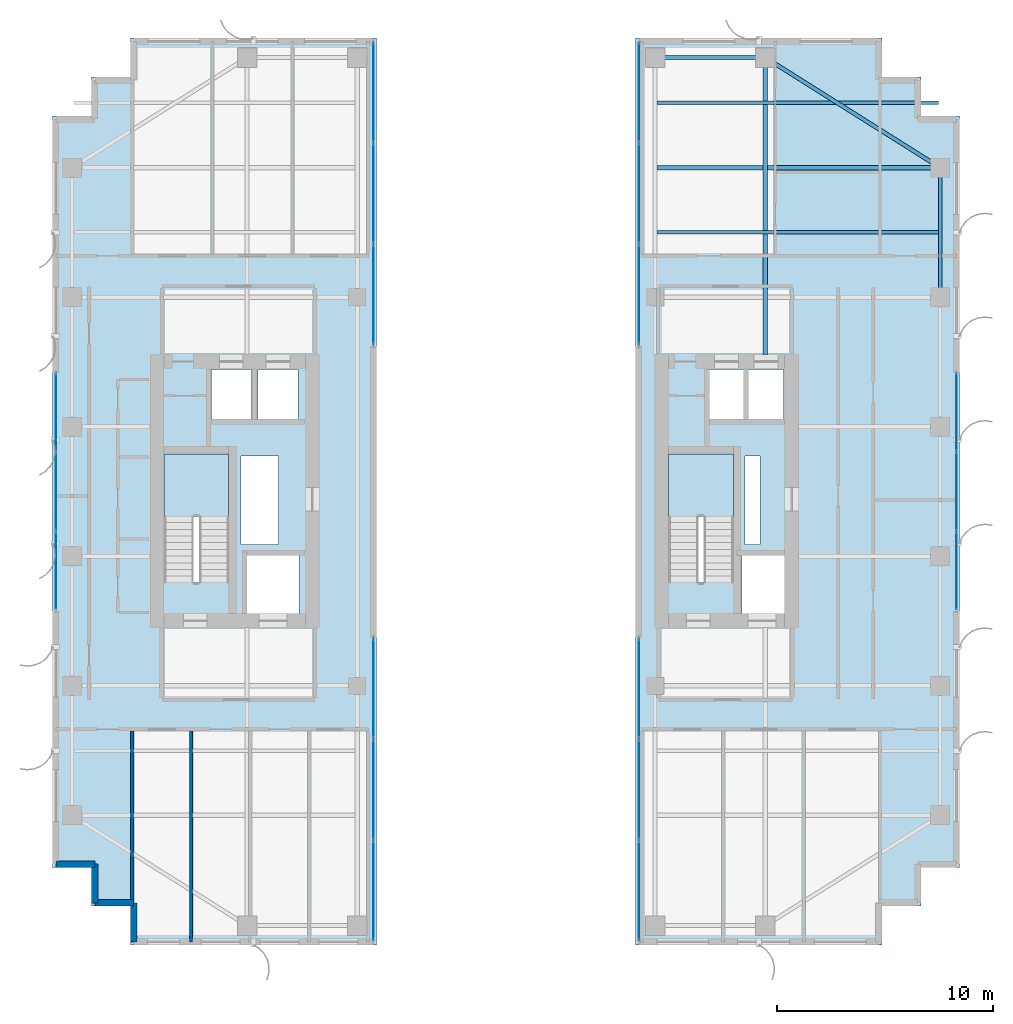
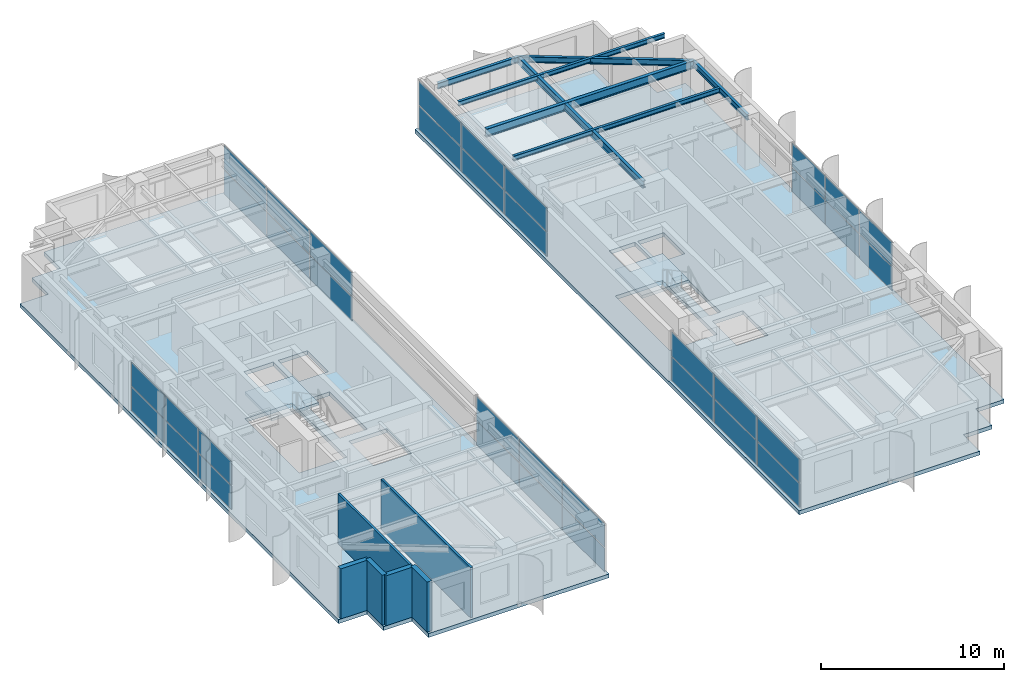
# One storey, part 15 of 22: 36 plates, 7 beams, 6 walls, 4 slabs, 8 elements without a shape of their own.
"""IFC4 building model written with IfcOpenShell, lengths in metres."""

import ifcopenshell
import ifcopenshell.guid

model = None  # the IFC model being written
_history = None  # IfcOwnerHistory: only IFC2X3 demands one
_inside = {}  # id of a spatial element -> (the spatial element, [elements in it])
_under = {}  # id of a project, library or spatial element -> (it, [spatial elements below it])
_declared = {}  # id of a project -> (the project, [libraries it declares])
_typed = {}  # id of a type object -> (the type object, [elements of that type])
_made_of = {}  # id of a material, layer set ... -> (it, [elements and type objects made of it])


def new_model(schema):
    """Start an empty IFC model of exactly this schema.

    Asked for "IFC4X3", IfcOpenShell would pick the latest addendum, in which some entities
    have other attributes; the version numbers below select the first issue.
    IFC2X3 requires an IfcOwnerHistory on every rooted entity: one is made here for all.
    """
    global model, _history
    if schema == "IFC4X3":
        model = ifcopenshell.file(schema_version=(4, 3, 0, 0))
    else:
        model = ifcopenshell.file(schema=schema)
    _inside.clear()
    _under.clear()
    _declared.clear()
    _typed.clear()
    _made_of.clear()
    _history = None
    if model.schema == "IFC2X3":
        org = make("IfcOrganization", Name="unknown")
        user = make(
            "IfcPersonAndOrganization",
            ThePerson=make("IfcPerson", FamilyName="unknown"),
            TheOrganization=org,
        )
        app = make(
            "IfcApplication",
            ApplicationDeveloper=org,
            Version="unknown",
            ApplicationFullName="unknown",
            ApplicationIdentifier="unknown",
        )
        _history = make(
            "IfcOwnerHistory",
            OwningUser=user,
            OwningApplication=app,
            ChangeAction="ADDED",
            CreationDate=0,
        )
    return model


def make(cls, **values):
    """One entity of the class cls with the attributes given. An attribute that is None is left unset."""
    return model.create_entity(
        cls, **{name: value for name, value in values.items() if value is not None}
    )


def rooted(cls, **values):
    """An entity with a GlobalId (a new one), such as an element, a storey or a relation."""
    return make(cls, GlobalId=ifcopenshell.guid.new(), OwnerHistory=_history, **values)


def si_unit(unit_type, name, prefix=None):
    """IfcSIUnit, for example si_unit("LENGTHUNIT", "METRE", prefix="MILLI")."""
    return make("IfcSIUnit", UnitType=unit_type, Prefix=prefix, Name=name)


def assignment(units):
    """IfcUnitAssignment: the units of a project."""
    return None if units is None else make("IfcUnitAssignment", Units=units)


def point(xyz):
    """IfcCartesianPoint."""
    return None if xyz is None else make("IfcCartesianPoint", Coordinates=xyz)


def direction(xyz):
    """IfcDirection."""
    return None if xyz is None else make("IfcDirection", DirectionRatios=xyz)


def frame(location, z_axis=None, x_axis=None):
    """IfcAxis2Placement3D, a coordinate frame: its origin and axes. An axis left out is left unset."""
    return make(
        "IfcAxis2Placement3D",
        Location=point(location),
        Axis=direction(z_axis),
        RefDirection=direction(x_axis),
    )


def frame_2d(location, x_axis=None):
    """IfcAxis2Placement2D, a coordinate frame in the plane: its origin and x axis."""
    return make(
        "IfcAxis2Placement2D", Location=point(location), RefDirection=direction(x_axis)
    )


def origin():
    """The frame at (0, 0, 0) with its axes left unset."""
    return frame((0.0, 0.0, 0.0))


def origin_2d():
    """The frame at (0, 0) in the plane with its x axis left unset."""
    return frame_2d((0.0, 0.0))


def place(relative_to, where):
    """IfcLocalPlacement: puts the frame where relative to a parent placement (None: the world)."""
    return make(
        "IfcLocalPlacement", PlacementRelTo=relative_to, RelativePlacement=where
    )


def context(
    kind, dimensions, precision=None, world=None, true_north=None, identifier=None
):
    """IfcGeometricRepresentationContext, for example the 3D "Model" context."""
    return make(
        "IfcGeometricRepresentationContext",
        ContextIdentifier=identifier,
        ContextType=kind,
        CoordinateSpaceDimension=dimensions,
        Precision=precision,
        WorldCoordinateSystem=world,
        TrueNorth=true_north,
    )


def subcontext(parent, identifier, kind, view, scale=None):
    """IfcGeometricRepresentationSubContext, for example "Body" below "Model"."""
    return make(
        "IfcGeometricRepresentationSubContext",
        ContextIdentifier=identifier,
        ContextType=kind,
        ParentContext=parent,
        TargetScale=scale,
        TargetView=view,
    )


def project(units=None, contexts=None):
    """IfcProject with its units and contexts."""
    return rooted(
        "IfcProject",
        Name="project",
        RepresentationContexts=contexts,
        UnitsInContext=assignment(units),
    )


def spatial(cls, under=None, at=None, **own):
    """A site, building, storey or space (cls), placed at a placement, below another one or the project."""
    s = rooted(cls, ObjectPlacement=at, **own)
    if under is not None:
        _under.setdefault(under.id(), (under, []))[1].append(s)
    return s


def polyline(points):
    """IfcPolyline through the points."""
    return make("IfcPolyline", Points=[point(p) for p in points])


def profile(cls, at=None, kind="AREA", **sizes):
    """A parametric profile (cls). Its sizes go by their IFC names, for example OverallWidth=200.0."""
    return make(cls, ProfileType=kind, Position=at, **sizes)


def rectangle(**sizes):
    """IfcRectangleProfileDef."""
    return profile("IfcRectangleProfileDef", **sizes)


def i_section(**sizes):
    """IfcIShapeProfileDef."""
    return profile("IfcIShapeProfileDef", **sizes)


def outline(outer, holes=None, kind="AREA"):
    """IfcArbitraryClosedProfileDef: a profile drawn as a closed curve; with holes, ...WithVoids."""
    if holes is None:
        return make("IfcArbitraryClosedProfileDef", ProfileType=kind, OuterCurve=outer)
    return make(
        "IfcArbitraryProfileDefWithVoids",
        ProfileType=kind,
        OuterCurve=outer,
        InnerCurves=holes,
    )


def extrude(swept, where, along, depth):
    """IfcExtrudedAreaSolid: the profile swept, set in the frame where, extruded along a direction by depth."""
    return make(
        "IfcExtrudedAreaSolid",
        SweptArea=swept,
        Position=where,
        ExtrudedDirection=direction(along),
        Depth=depth,
    )


def shape(context_of_items, identifier, shape_type, items):
    """IfcShapeRepresentation: the items that make up one representation, for example the "Body"."""
    return make(
        "IfcShapeRepresentation",
        ContextOfItems=context_of_items,
        RepresentationIdentifier=identifier,
        RepresentationType=shape_type,
        Items=items,
    )


def source(mapping_origin, context_of_items, identifier, shape_type, items):
    """IfcRepresentationMap: a shape defined once, which mapped items show again and again."""
    return make(
        "IfcRepresentationMap",
        MappingOrigin=mapping_origin,
        MappedRepresentation=shape(context_of_items, identifier, shape_type, items),
    )


def transform(
    local_origin,
    x_axis=None,
    y_axis=None,
    z_axis=None,
    scale=None,
    scale2=None,
    scale3=None,
    uniform=True,
):
    """IfcCartesianTransformationOperator3D, or its non-uniform kind. x_axis, y_axis, z_axis: its Axis1, 2, 3."""
    if uniform:
        return make(
            "IfcCartesianTransformationOperator3D",
            Axis1=direction(x_axis),
            Axis2=direction(y_axis),
            LocalOrigin=point(local_origin),
            Scale=scale,
            Axis3=direction(z_axis),
        )
    return make(
        "IfcCartesianTransformationOperator3DnonUniform",
        Axis1=direction(x_axis),
        Axis2=direction(y_axis),
        LocalOrigin=point(local_origin),
        Scale=scale,
        Axis3=direction(z_axis),
        Scale2=scale2,
        Scale3=scale3,
    )


def mapped(mapping_source, mapping_target):
    """IfcMappedItem: shows the shape of a source again, moved by a transform."""
    return make(
        "IfcMappedItem", MappingSource=mapping_source, MappingTarget=mapping_target
    )


def material(Name=None, Category=None):
    """IfcMaterial."""
    return make("IfcMaterial", Name=Name, Category=Category)


def layer(
    of_material, thickness, ventilated=None, Name=None, Category=None, Priority=None
):
    """IfcMaterialLayer: one layer of a wall or slab, of a material (None: an air gap)."""
    return make(
        "IfcMaterialLayer",
        Material=of_material,
        LayerThickness=thickness,
        IsVentilated=ventilated,
        Name=Name,
        Category=Category,
        Priority=Priority,
    )


def layer_set(layers, Name=None):
    """IfcMaterialLayerSet."""
    return make("IfcMaterialLayerSet", MaterialLayers=layers, LayerSetName=Name)


def material_profile(
    of_material, cross_section, Name=None, Category=None, Priority=None
):
    """IfcMaterialProfile: a cross section and its material."""
    return make(
        "IfcMaterialProfile",
        Name=Name,
        Material=of_material,
        Profile=cross_section,
        Priority=Priority,
        Category=Category,
    )


def profile_set(profiles, Name=None, composite=None):
    """IfcMaterialProfileSet."""
    return make(
        "IfcMaterialProfileSet",
        Name=Name,
        MaterialProfiles=profiles,
        CompositeProfile=composite,
    )


def made_of(thing, what):
    """Note that an element or type object is made of a material, layer set ...; save() writes the relation."""
    if what is not None:
        _made_of.setdefault(what.id(), (what, []))[1].append(thing)
    return thing


def type_object(cls, material=None, **own):
    """A type object (cls), such as IfcWallType, which elements share."""
    return made_of(rooted(cls, **own), material)


def element(
    cls,
    number,
    at=None,
    inside=None,
    cuts=None,
    type_object=None,
    material=None,
    context=None,
    identifier="Body",
    shape_type=None,
    held_by="IfcProductDefinitionShape",
    body=None,
    shapes=None,
    **own,
):
    """One element of the class cls, such as IfcWall. Its Tag is "e" and its number.

    at: its placement. inside: the storey or other place that contains it. cuts: it is an
    opening in that element (IfcRelVoidsElement). A single representation is given by context,
    identifier, shape_type and body (its items); several are given by shapes. held_by: the class
    of the entity that holds the representations. save() writes the other relations.
    """
    e = rooted(cls, Tag="e%d" % number, ObjectPlacement=at, **own)
    if body is not None:
        shapes = [shape(context, identifier, shape_type, body)]
    if shapes is not None:
        e.Representation = make(held_by, Representations=shapes)
    if inside is not None:
        _inside.setdefault(inside.id(), (inside, []))[1].append(e)
    if cuts is not None:
        rooted(
            "IfcRelVoidsElement", RelatingBuildingElement=cuts, RelatedOpeningElement=e
        )
    if type_object is not None:
        _typed.setdefault(type_object.id(), (type_object, []))[1].append(e)
    return made_of(e, material)


def aggregate(whole, parts):
    """IfcRelAggregates: a whole, such as a stair, and the parts it consists of."""
    return rooted("IfcRelAggregates", RelatingObject=whole, RelatedObjects=parts)


def save(model, path):
    """Write the relations noted so far, then the file.

    IfcRelAggregates (storeys below a building ...), IfcRelContainedInSpatialStructure (elements
    in a storey), IfcRelDefinesByType, IfcRelAssociatesMaterial and IfcRelDeclares: one each for
    every whole, place, type object, material and project.
    """
    for whole, parts in _under.values():
        aggregate(whole, parts)
    for where, things in _inside.values():
        rooted(
            "IfcRelContainedInSpatialStructure",
            RelatedElements=things,
            RelatingStructure=where,
        )
    for kind, things in _typed.values():
        rooted("IfcRelDefinesByType", RelatedObjects=things, RelatingType=kind)
    for what, things in _made_of.values():
        rooted("IfcRelAssociatesMaterial", RelatedObjects=things, RelatingMaterial=what)
    for by, libraries in _declared.values():
        rooted("IfcRelDeclares", RelatingContext=by, RelatedDefinitions=libraries)
    model.write(path)


model = new_model("IFC4")

# Units and contexts
model_context = context("Model", 3, precision=1e-05, world=origin(), true_north=direction((0.0, 1.0)))
body_context = subcontext(model_context, "Body", "Model", "MODEL_VIEW")
ifc_project = project(units=[si_unit("LENGTHUNIT", "METRE"), si_unit("AREAUNIT", "SQUARE_METRE"), si_unit("VOLUMEUNIT", "CUBIC_METRE"), si_unit("PLANEANGLEUNIT", "RADIAN"), si_unit("MASSUNIT", "GRAM", prefix="KILO")], contexts=[model_context])

# Site, building, storey
site_placement = place(None, origin())
site = spatial("IfcSite", under=ifc_project, at=site_placement, CompositionType="ELEMENT")
building_placement = place(site_placement, origin())
building = spatial("IfcBuilding", under=site, at=building_placement, Name="Khoralis Quay Care Tower", CompositionType="ELEMENT")
storey_placement = place(building_placement, frame((0.0, 0.0, 195.300048828125)))
storey = spatial("IfcBuildingStorey", under=building, at=storey_placement, Name="L51", CompositionType="ELEMENT", Elevation=195.300048828125)

# Beams
ifc_material_1 = material(Name="Steel S355", Category="steel")
ifc_material_profile_1 = material_profile(ifc_material_1, i_section(OverallWidth=0.179931640625, OverallDepth=0.39990234375, WebThickness=0.008544921875, FlangeThickness=0.013427734375, FilletRadius=0.02099609375, at=origin_2d()), Name="Steel S355")
ifc_profile_set_1 = profile_set([ifc_material_profile_1], Name="Steel S355")
beam_type_1 = type_object("IfcBeamType", Name="BM-IPE400", PredefinedType="SPANDREL", material=ifc_profile_set_1)
shared_shape_1 = source(origin(), body_context, "Body", "SweptSolid", [
    extrude(i_section(OverallWidth=0.179931640625, OverallDepth=0.39990234375, WebThickness=0.008544921875, FlangeThickness=0.013427734375, FilletRadius=0.02099609375, at=origin_2d()), origin(), (0.0, 0.0, 1.0), 6.0),
])
beam_1_placement = place(storey_placement, frame((44.10009765625, 30.0, 3.139892578125), z_axis=(0.0, 1.0, 0.0), x_axis=(-1.0, 0.0, 0.0)))
element("IfcBeam", 1, at=beam_1_placement, inside=storey, type_object=beam_type_1, Name="BM-TSP-L51-14", PredefinedType="SPANDREL", context=body_context, shape_type="MappedRepresentation", body=[
    mapped(shared_shape_1, transform((0.0, 0.0, 0.0), scale=1.0)),
])
shared_shape_2 = source(origin(), body_context, "Body", "SweptSolid", [
    extrude(i_section(OverallWidth=0.179931640625, OverallDepth=0.39990234375, WebThickness=0.008544921875, FlangeThickness=0.013427734375, FilletRadius=0.02099609375, at=origin_2d()), origin(), (0.0, 0.0, 1.0), 5.10009765625),
])
beam_2_placement = place(storey_placement, frame((30.89990234375, 41.10009765625, 3.139892578125), z_axis=(1.0, 0.0, 0.0), x_axis=(0.0, 1.0, 0.0)))
element("IfcBeam", 2, at=beam_2_placement, inside=storey, type_object=beam_type_1, Name="BM-TSP-L51-04", PredefinedType="SPANDREL", context=body_context, shape_type="MappedRepresentation", body=[
    mapped(shared_shape_2, transform((0.0, 0.0, 0.0), scale=1.0)),
])
shared_shape_3 = source(origin(), body_context, "Body", "SweptSolid", [
    extrude(i_section(OverallWidth=0.179931640625, OverallDepth=0.39990234375, WebThickness=0.008544921875, FlangeThickness=0.013427734375, FilletRadius=0.02099609375, at=origin_2d()), origin(), (0.0, 0.0, 1.0), 9.572021484375),
])
beam_3_placement = place(storey_placement, frame((36.0, 41.10009765625, 3.139892578125), z_axis=(0.846231136359, -0.532815975602, 0.0), x_axis=(0.532815975602, 0.846231136359, 0.0)))
element("IfcBeam", 3, at=beam_3_placement, inside=storey, type_object=beam_type_1, Name="BM-TCR-L51-18", PredefinedType="SPANDREL", context=body_context, shape_type="MappedRepresentation", body=[
    mapped(shared_shape_3, transform((0.0, 0.0, 0.0), scale=1.0)),
])
ifc_material_profile_2 = material_profile(ifc_material_1, i_section(OverallWidth=0.208984375, OverallDepth=0.532958984375, WebThickness=0.01025390625, FlangeThickness=0.015625, FilletRadius=0.01611328125, at=origin_2d()), Name="Steel S355")
ifc_profile_set_2 = profile_set([ifc_material_profile_2], Name="Steel S355")
beam_type_2 = type_object("IfcBeamType", Name="BM-W530X92", PredefinedType="BEAM", material=ifc_profile_set_2)
shared_shape_4 = source(origin(), body_context, "Body", "SweptSolid", [
    extrude(i_section(OverallWidth=0.208984375, OverallDepth=0.532958984375, WebThickness=0.01025390625, FlangeThickness=0.015625, FilletRadius=0.01611328125, at=origin_2d()), origin(), (0.0, 0.0, 1.0), 13.1162109375),
])
beam_4_placement = place(storey_placement, frame((30.98388671875, 36.0, 3.073486328125), z_axis=(1.0, 0.0, 0.0), x_axis=(0.0, 1.0, 0.0)))
element("IfcBeam", 4, at=beam_4_placement, inside=storey, type_object=beam_type_2, Name="BM-TGXE-L51-360", PredefinedType="BEAM", context=body_context, shape_type="MappedRepresentation", body=[
    mapped(shared_shape_4, transform((0.0, 0.0, 0.0), scale=1.0)),
])
ifc_material_profile_3 = material_profile(ifc_material_1, i_section(OverallWidth=0.19189453125, OverallDepth=0.462890625, WebThickness=0.010498046875, FlangeThickness=0.017578125, FilletRadius=0.014892578125, at=origin_2d()), Name="Steel S355")
ifc_profile_set_3 = profile_set([ifc_material_profile_3], Name="Steel S355")
beam_type_3 = type_object("IfcBeamType", Name="BM-W460X89", PredefinedType="BEAM", material=ifc_profile_set_3)
shared_shape_5 = source(origin(), body_context, "Body", "SweptSolid", [
    extrude(i_section(OverallWidth=0.19189453125, OverallDepth=0.462890625, WebThickness=0.010498046875, FlangeThickness=0.017578125, FilletRadius=0.014892578125, at=origin_2d()), origin(), (0.0, 0.0, 1.0), 13.752197265625),
])
beam_5_placement = place(storey_placement, frame((36.0, 27.347900390625, 3.1083984375), z_axis=(0.0, 1.0, 0.0), x_axis=(-1.0, 0.0, 0.0)))
element("IfcBeam", 5, at=beam_5_placement, inside=storey, type_object=beam_type_3, Name="BM-TGYN-L51-360", PredefinedType="BEAM", context=body_context, shape_type="MappedRepresentation", body=[
    mapped(shared_shape_5, transform((0.0, 0.0, 0.0), scale=1.0)),
])
ifc_material_profile_4 = material_profile(ifc_material_1, i_section(OverallWidth=0.1650390625, OverallDepth=0.31005859375, WebThickness=0.005859375, FlangeThickness=0.009765625, FilletRadius=0.011962890625, at=origin_2d()), Name="Steel S355")
ifc_profile_set_4 = profile_set([ifc_material_profile_4], Name="Steel S355")
beam_type_4 = type_object("IfcBeamType", Name="BM-W310X39", PredefinedType="JOIST", material=ifc_profile_set_4)
shared_shape_6 = source(origin(), body_context, "Body", "SweptSolid", [
    extrude(i_section(OverallWidth=0.1650390625, OverallDepth=0.31005859375, WebThickness=0.005859375, FlangeThickness=0.009765625, FilletRadius=0.011962890625, at=origin_2d()), origin(), (0.0, 0.0, 1.0), 13.0400390625),
])
for number, where, z_axis, x_axis, name in (
    (6, (30.98388671875, 33.0, 3.18505859375), (1.0, 0.0, 0.0), (0.0, 1.0, 0.0), "BM-TJS-L51-22"),
    (7, (30.98388671875, 39.0, 3.18505859375), (1.0, 0.0, 0.0), (0.0, 1.0, 0.0), "BM-TJS-L51-24"),
):
    element("IfcBeam", number, at=place(storey_placement, frame(where, z_axis=z_axis, x_axis=x_axis)), inside=storey, type_object=beam_type_4, Name=name, PredefinedType="JOIST", context=body_context, shape_type="MappedRepresentation", body=[
        mapped(shared_shape_6, transform((0.0, 0.0, 0.0), scale=1.0)),
    ])

# Stair, slab
ifc_material_2 = material(Name="Precast concrete C45/55", Category="concrete")
stair_type = type_object("IfcStairType", Name="ST-TWR-DOGLEG-1400", PredefinedType="HALF_TURN_STAIR", material=ifc_material_2)
stair_1_placement = place(storey_placement, origin())
stair_1 = element("IfcStair", 8, at=stair_1_placement, inside=storey, type_object=stair_type, Name="L51 West Core Exit Stair ST-T1", PredefinedType="HALF_TURN_STAIR")
ifc_layer_1 = layer(ifc_material_2, 0.199951171875)
ifc_layer_set_1 = layer_set([ifc_layer_1], Name="Precast concrete C45/55")
slab_type_1 = type_object("IfcSlabType", Name="SLB-LANDING-200", PredefinedType="LANDING", material=ifc_layer_set_1)
slab_1_placement = place(storey_placement, frame((0.0, 0.0, 1.599853515625)))
slab_1 = element("IfcSlab", 9, at=slab_1_placement, type_object=slab_type_1, Name="ST-T1 landing 1", PredefinedType="LANDING", context=body_context, shape_type="SweptSolid", body=[
    extrude(outline(polyline([(11.14990234375, 19.840087890625), (11.14990234375, 22.75), (8.14990234375, 22.75), (8.14990234375, 19.840087890625), (11.14990234375, 19.840087890625)])), origin(), (0.0, 0.0, 1.0), 0.2001953125),
])
aggregate(stair_1, [slab_1])

stair_2_placement = place(storey_placement, origin())
stair_2 = element("IfcStair", 10, at=stair_2_placement, inside=storey, type_object=stair_type, Name="L51 East Core Exit Stair ST-T2", PredefinedType="HALF_TURN_STAIR")
slab_2_placement = place(storey_placement, frame((0.0, 0.0, 1.599853515625)))
slab_2 = element("IfcSlab", 11, at=slab_2_placement, type_object=slab_type_1, Name="ST-T2 landing 1", PredefinedType="LANDING", context=body_context, shape_type="SweptSolid", body=[
    extrude(outline(polyline([(34.52001953125, 19.840087890625), (34.52001953125, 22.75), (31.52001953125, 22.75), (31.52001953125, 19.840087890625), (34.52001953125, 19.840087890625)])), origin(), (0.0, 0.0, 1.0), 0.2001953125),
])
aggregate(stair_2, [slab_2])

# Slabs
ifc_material_3 = material(Name="Concrete C40/50", Category="concrete")
ifc_layer_2 = layer(ifc_material_3, 0.260009765625)
ifc_layer_set_2 = layer_set([ifc_layer_2], Name="Concrete C40/50")
slab_type_2 = type_object("IfcSlabType", Name="SLB-TWR-260", PredefinedType="FLOOR", material=ifc_layer_set_2)
slab_3_placement = place(storey_placement, frame((0.0, 0.0, -0.260009765625)))
element("IfcSlab", 12, at=slab_3_placement, inside=storey, type_object=slab_type_2, Name="Tower Wing 1 Slab L51", PredefinedType="FLOOR", context=body_context, shape_type="SweptSolid", body=[
    extrude(outline(polyline([(6.60009765625, 0.0), (18.0, 0.0), (18.0, 42.0), (6.60009765625, 42.0), (6.60009765625, 40.199951171875), (4.800048828125, 40.199951171875), (4.800048828125, 38.39990234375), (3.0, 38.39990234375), (3.0, 3.60009765625), (4.800048828125, 3.60009765625), (4.800048828125, 1.800048828125), (6.60009765625, 1.800048828125), (6.60009765625, 0.0)]), holes=[polyline([(11.14990234375, 16.800048828125), (11.14990234375, 22.75), (8.14990234375, 22.75), (8.14990234375, 16.800048828125), (11.14990234375, 16.800048828125)]), polyline([(12.0, 15.35009765625), (14.39990234375, 15.35009765625), (14.39990234375, 18.050048828125), (12.0, 18.050048828125), (12.0, 15.35009765625)]), polyline([(10.35009765625, 24.35009765625), (12.199951171875, 24.35009765625), (12.199951171875, 26.64990234375), (10.35009765625, 26.64990234375), (10.35009765625, 24.35009765625)]), polyline([(12.5, 24.35009765625), (14.35009765625, 24.35009765625), (14.35009765625, 26.64990234375), (12.5, 26.64990234375), (12.5, 24.35009765625)]), polyline([(11.719970703125, 18.550048828125), (13.449951171875, 18.550048828125), (13.449951171875, 22.64990234375), (11.719970703125, 22.64990234375), (11.719970703125, 18.550048828125)])]), origin(), (0.0, 0.0, 1.0), 0.260009765625),
])
slab_4_placement = place(storey_placement, frame((0.0, 0.0, -0.260009765625)))
element("IfcSlab", 13, at=slab_4_placement, inside=storey, type_object=slab_type_2, Name="Tower Wing 2 Slab L51", PredefinedType="FLOOR", context=body_context, shape_type="SweptSolid", body=[
    extrude(outline(polyline([(30.0, 0.0), (41.39990234375, 0.0), (41.39990234375, 1.800048828125), (43.199951171875, 1.800048828125), (43.199951171875, 3.60009765625), (45.0, 3.60009765625), (45.0, 38.39990234375), (43.199951171875, 38.39990234375), (43.199951171875, 40.199951171875), (41.39990234375, 40.199951171875), (41.39990234375, 42.0), (30.0, 42.0), (30.0, 0.0)]), holes=[polyline([(34.52001953125, 16.800048828125), (34.52001953125, 22.75), (31.52001953125, 22.75), (31.52001953125, 16.800048828125), (34.52001953125, 16.800048828125)]), polyline([(34.919921875, 15.35009765625), (36.8798828125, 15.35009765625), (36.8798828125, 18.050048828125), (34.919921875, 18.050048828125), (34.919921875, 15.35009765625)]), polyline([(33.3798828125, 24.35009765625), (35.030029296875, 24.35009765625), (35.030029296875, 26.64990234375), (33.3798828125, 26.64990234375), (33.3798828125, 24.35009765625)]), polyline([(35.199951171875, 24.35009765625), (36.85009765625, 24.35009765625), (36.85009765625, 26.64990234375), (35.199951171875, 26.64990234375), (35.199951171875, 24.35009765625)]), polyline([(35.050048828125, 18.550048828125), (35.75, 18.550048828125), (35.75, 22.64990234375), (35.050048828125, 22.64990234375), (35.050048828125, 18.550048828125)])]), origin(), (0.0, 0.0, 1.0), 0.260009765625),
])

# Curtain wall, plates
ifc_material_4 = material(Name="Pale anodised aluminium", Category="aluminium")
ifc_layer_3 = layer(ifc_material_4, 0.159912109375)
ifc_layer_set_3 = layer_set([ifc_layer_3], Name="Pale anodised aluminium")
curtain_wall_type_1 = type_object("IfcCurtainWallType", Name="CW-SYS-Z3", PredefinedType="NOTDEFINED", material=ifc_layer_set_3)
curtain_wall_1_placement = place(storey_placement, origin())
curtain_wall_1 = element("IfcCurtainWall", 14, at=curtain_wall_1_placement, inside=storey, type_object=curtain_wall_type_1, Name="L51 Unitised Curtain Wall CW-L51-P1-E7", PredefinedType="NOTDEFINED")
ifc_material_5 = material(Name="Low-E solar-control double glazing", Category="glass")
ifc_layer_4 = layer(ifc_material_5, 0.031982421875)
ifc_layer_set_4 = layer_set([ifc_layer_4], Name="Low-E solar-control double glazing")
plate_type = type_object("IfcPlateType", Name="PNL-VIS-32", PredefinedType="CURTAIN_PANEL", material=ifc_layer_set_4)
shared_shape_7 = source(origin(), body_context, "Body", "SweptSolid", [
    extrude(rectangle(XDim=3.590087890625, YDim=0.028076171875, at=origin_2d()), origin(), (0.0, 0.0, 1.0), 1.580078125),
])
plate_1_placement = place(storey_placement, frame((3.14990234375, 24.6650390625, 0.059814453125), z_axis=(0.0, 0.0, 1.0), x_axis=(0.0, -1.0, 0.0)))
plate_1 = element("IfcPlate", 15, at=plate_1_placement, type_object=plate_type, Name="CW3 panel 1.1", PredefinedType="CURTAIN_PANEL", context=body_context, shape_type="MappedRepresentation", body=[
    mapped(shared_shape_7, transform((0.0, 0.0, 0.0), scale=1.0)),
])
plate_2_placement = place(storey_placement, frame((3.14990234375, 24.6650390625, 1.699951171875), z_axis=(0.0, 0.0, 1.0), x_axis=(0.0, -1.0, 0.0)))
plate_2 = element("IfcPlate", 16, at=plate_2_placement, type_object=plate_type, Name="CW3 panel 1.2", PredefinedType="CURTAIN_PANEL", context=body_context, shape_type="MappedRepresentation", body=[
    mapped(shared_shape_7, transform((0.0, 0.0, 0.0), scale=1.0)),
])
plate_3_placement = place(storey_placement, frame((3.14990234375, 17.3349609375, 0.059814453125), z_axis=(0.0, 0.0, 1.0), x_axis=(0.0, -1.0, 0.0)))
plate_3 = element("IfcPlate", 17, at=plate_3_placement, type_object=plate_type, Name="CW3 panel 3.1", PredefinedType="CURTAIN_PANEL", context=body_context, shape_type="MappedRepresentation", body=[
    mapped(shared_shape_7, transform((0.0, 0.0, 0.0), scale=1.0)),
])
plate_4_placement = place(storey_placement, frame((3.14990234375, 17.3349609375, 1.699951171875), z_axis=(0.0, 0.0, 1.0), x_axis=(0.0, -1.0, 0.0)))
plate_4 = element("IfcPlate", 18, at=plate_4_placement, type_object=plate_type, Name="CW3 panel 3.2", PredefinedType="CURTAIN_PANEL", context=body_context, shape_type="MappedRepresentation", body=[
    mapped(shared_shape_7, transform((0.0, 0.0, 0.0), scale=1.0)),
])

curtain_wall_2_placement = place(storey_placement, origin())
curtain_wall_2 = element("IfcCurtainWall", 19, at=curtain_wall_2_placement, inside=storey, type_object=curtain_wall_type_1, Name="L51 Unitised Curtain Wall CW-L51-P2-E5", PredefinedType="NOTDEFINED")
plate_5_placement = place(storey_placement, frame((44.85009765625, 17.3349609375, 0.059814453125), z_axis=(0.0, 0.0, 1.0), x_axis=(0.0, 1.0, 0.0)))
plate_5 = element("IfcPlate", 20, at=plate_5_placement, type_object=plate_type, Name="CW3 panel 1.1", PredefinedType="CURTAIN_PANEL", context=body_context, shape_type="MappedRepresentation", body=[
    mapped(shared_shape_7, transform((0.0, 0.0, 0.0), scale=1.0)),
])
plate_6_placement = place(storey_placement, frame((44.85009765625, 17.3349609375, 1.699951171875), z_axis=(0.0, 0.0, 1.0), x_axis=(0.0, 1.0, 0.0)))
plate_6 = element("IfcPlate", 21, at=plate_6_placement, type_object=plate_type, Name="CW3 panel 1.2", PredefinedType="CURTAIN_PANEL", context=body_context, shape_type="MappedRepresentation", body=[
    mapped(shared_shape_7, transform((0.0, 0.0, 0.0), scale=1.0)),
])
plate_7_placement = place(storey_placement, frame((44.85009765625, 24.6650390625, 0.059814453125), z_axis=(0.0, 0.0, 1.0), x_axis=(0.0, 1.0, 0.0)))
plate_7 = element("IfcPlate", 22, at=plate_7_placement, type_object=plate_type, Name="CW3 panel 3.1", PredefinedType="CURTAIN_PANEL", context=body_context, shape_type="MappedRepresentation", body=[
    mapped(shared_shape_7, transform((0.0, 0.0, 0.0), scale=1.0)),
])
plate_8_placement = place(storey_placement, frame((44.85009765625, 24.6650390625, 1.699951171875), z_axis=(0.0, 0.0, 1.0), x_axis=(0.0, 1.0, 0.0)))
plate_8 = element("IfcPlate", 23, at=plate_8_placement, type_object=plate_type, Name="CW3 panel 3.2", PredefinedType="CURTAIN_PANEL", context=body_context, shape_type="MappedRepresentation", body=[
    mapped(shared_shape_7, transform((0.0, 0.0, 0.0), scale=1.0)),
])

# Plate
shared_shape_8 = source(origin(), body_context, "Body", "SweptSolid", [
    extrude(rectangle(XDim=3.6201171875, YDim=0.028076171875, at=origin_2d()), origin(), (0.0, 0.0, 1.0), 1.580078125),
])
plate_9_placement = place(storey_placement, frame((3.14990234375, 21.0, 0.059814453125), z_axis=(0.0, 0.0, 1.0), x_axis=(0.0, -1.0, 0.0)))
plate_9 = element("IfcPlate", 24, at=plate_9_placement, type_object=plate_type, Name="CW3 panel 2.1", PredefinedType="CURTAIN_PANEL", context=body_context, shape_type="MappedRepresentation", body=[
    mapped(shared_shape_8, transform((0.0, 0.0, 0.0), scale=1.0)),
])

plate_10_placement = place(storey_placement, frame((3.14990234375, 21.0, 1.699951171875), z_axis=(0.0, 0.0, 1.0), x_axis=(0.0, -1.0, 0.0)))
plate_10 = element("IfcPlate", 25, at=plate_10_placement, type_object=plate_type, Name="CW3 panel 2.2", PredefinedType="CURTAIN_PANEL", context=body_context, shape_type="MappedRepresentation", body=[
    mapped(shared_shape_8, transform((0.0, 0.0, 0.0), scale=1.0)),
])

aggregate(curtain_wall_1, [plate_1, plate_2, plate_9, plate_10, plate_3, plate_4])

plate_11_placement = place(storey_placement, frame((44.85009765625, 21.0, 0.059814453125), z_axis=(0.0, 0.0, 1.0), x_axis=(0.0, 1.0, 0.0)))
plate_11 = element("IfcPlate", 26, at=plate_11_placement, type_object=plate_type, Name="CW3 panel 2.1", PredefinedType="CURTAIN_PANEL", context=body_context, shape_type="MappedRepresentation", body=[
    mapped(shared_shape_8, transform((0.0, 0.0, 0.0), scale=1.0)),
])

plate_12_placement = place(storey_placement, frame((44.85009765625, 21.0, 1.699951171875), z_axis=(0.0, 0.0, 1.0), x_axis=(0.0, 1.0, 0.0)))
plate_12 = element("IfcPlate", 27, at=plate_12_placement, type_object=plate_type, Name="CW3 panel 2.2", PredefinedType="CURTAIN_PANEL", context=body_context, shape_type="MappedRepresentation", body=[
    mapped(shared_shape_8, transform((0.0, 0.0, 0.0), scale=1.0)),
])

aggregate(curtain_wall_2, [plate_5, plate_6, plate_11, plate_12, plate_7, plate_8])

# Curtain wall, plates
ifc_layer_5 = layer(ifc_material_4, 0.18994140625)
ifc_layer_set_5 = layer_set([ifc_layer_5], Name="Pale anodised aluminium")
curtain_wall_type_2 = type_object("IfcCurtainWallType", Name="CW-SYS-PORTAL", PredefinedType="NOTDEFINED", material=ifc_layer_set_5)
curtain_wall_3_placement = place(storey_placement, origin())
curtain_wall_3 = element("IfcCurtainWall", 28, at=curtain_wall_3_placement, inside=storey, type_object=curtain_wall_type_2, Name="L51 Unitised Curtain Wall CW-VP-L51-P1-S", PredefinedType="NOTDEFINED")
shared_shape_9 = source(origin(), body_context, "Body", "SweptSolid", [
    extrude(rectangle(XDim=4.610107421875, YDim=0.028076171875, at=origin_2d()), origin(), (0.0, 0.0, 1.0), 1.580078125),
])
plate_13_placement = place(storey_placement, frame((17.85009765625, 2.514892578125, 0.059814453125), z_axis=(0.0, 0.0, 1.0), x_axis=(0.0, 1.0, 0.0)))
plate_13 = element("IfcPlate", 29, at=plate_13_placement, type_object=plate_type, Name="CW4 panel 1.1", PredefinedType="CURTAIN_PANEL", context=body_context, shape_type="MappedRepresentation", body=[
    mapped(shared_shape_9, transform((0.0, 0.0, 0.0), scale=1.0)),
])
plate_14_placement = place(storey_placement, frame((17.85009765625, 2.514892578125, 1.699951171875), z_axis=(0.0, 0.0, 1.0), x_axis=(0.0, 1.0, 0.0)))
plate_14 = element("IfcPlate", 30, at=plate_14_placement, type_object=plate_type, Name="CW4 panel 1.2", PredefinedType="CURTAIN_PANEL", context=body_context, shape_type="MappedRepresentation", body=[
    mapped(shared_shape_9, transform((0.0, 0.0, 0.0), scale=1.0)),
])
plate_15_placement = place(storey_placement, frame((17.85009765625, 11.885009765625, 0.059814453125), z_axis=(0.0, 0.0, 1.0), x_axis=(0.0, 1.0, 0.0)))
plate_15 = element("IfcPlate", 31, at=plate_15_placement, type_object=plate_type, Name="CW4 panel 3.1", PredefinedType="CURTAIN_PANEL", context=body_context, shape_type="MappedRepresentation", body=[
    mapped(shared_shape_9, transform((0.0, 0.0, 0.0), scale=1.0)),
])
plate_16_placement = place(storey_placement, frame((17.85009765625, 11.885009765625, 1.699951171875), z_axis=(0.0, 0.0, 1.0), x_axis=(0.0, 1.0, 0.0)))
plate_16 = element("IfcPlate", 32, at=plate_16_placement, type_object=plate_type, Name="CW4 panel 3.2", PredefinedType="CURTAIN_PANEL", context=body_context, shape_type="MappedRepresentation", body=[
    mapped(shared_shape_9, transform((0.0, 0.0, 0.0), scale=1.0)),
])

curtain_wall_4_placement = place(storey_placement, origin())
curtain_wall_4 = element("IfcCurtainWall", 33, at=curtain_wall_4_placement, inside=storey, type_object=curtain_wall_type_2, Name="L51 Unitised Curtain Wall CW-VP-L51-P1-N", PredefinedType="NOTDEFINED")
plate_17_placement = place(storey_placement, frame((17.85009765625, 30.114990234375, 0.059814453125), z_axis=(0.0, 0.0, 1.0), x_axis=(0.0, 1.0, 0.0)))
plate_17 = element("IfcPlate", 34, at=plate_17_placement, type_object=plate_type, Name="CW4 panel 1.1", PredefinedType="CURTAIN_PANEL", context=body_context, shape_type="MappedRepresentation", body=[
    mapped(shared_shape_9, transform((0.0, 0.0, 0.0), scale=1.0)),
])
plate_18_placement = place(storey_placement, frame((17.85009765625, 30.114990234375, 1.699951171875), z_axis=(0.0, 0.0, 1.0), x_axis=(0.0, 1.0, 0.0)))
plate_18 = element("IfcPlate", 35, at=plate_18_placement, type_object=plate_type, Name="CW4 panel 1.2", PredefinedType="CURTAIN_PANEL", context=body_context, shape_type="MappedRepresentation", body=[
    mapped(shared_shape_9, transform((0.0, 0.0, 0.0), scale=1.0)),
])
plate_19_placement = place(storey_placement, frame((17.85009765625, 39.485107421875, 0.059814453125), z_axis=(0.0, 0.0, 1.0), x_axis=(0.0, 1.0, 0.0)))
plate_19 = element("IfcPlate", 36, at=plate_19_placement, type_object=plate_type, Name="CW4 panel 3.1", PredefinedType="CURTAIN_PANEL", context=body_context, shape_type="MappedRepresentation", body=[
    mapped(shared_shape_9, transform((0.0, 0.0, 0.0), scale=1.0)),
])
plate_20_placement = place(storey_placement, frame((17.85009765625, 39.485107421875, 1.699951171875), z_axis=(0.0, 0.0, 1.0), x_axis=(0.0, 1.0, 0.0)))
plate_20 = element("IfcPlate", 37, at=plate_20_placement, type_object=plate_type, Name="CW4 panel 3.2", PredefinedType="CURTAIN_PANEL", context=body_context, shape_type="MappedRepresentation", body=[
    mapped(shared_shape_9, transform((0.0, 0.0, 0.0), scale=1.0)),
])

curtain_wall_5_placement = place(storey_placement, origin())
curtain_wall_5 = element("IfcCurtainWall", 38, at=curtain_wall_5_placement, inside=storey, type_object=curtain_wall_type_2, Name="L51 Unitised Curtain Wall CW-VP-L51-P2-S", PredefinedType="NOTDEFINED")
plate_21_placement = place(storey_placement, frame((30.14990234375, 2.514892578125, 0.059814453125), z_axis=(0.0, 0.0, 1.0), x_axis=(0.0, 1.0, 0.0)))
plate_21 = element("IfcPlate", 39, at=plate_21_placement, type_object=plate_type, Name="CW4 panel 1.1", PredefinedType="CURTAIN_PANEL", context=body_context, shape_type="MappedRepresentation", body=[
    mapped(shared_shape_9, transform((0.0, 0.0, 0.0), scale=1.0)),
])
plate_22_placement = place(storey_placement, frame((30.14990234375, 2.514892578125, 1.699951171875), z_axis=(0.0, 0.0, 1.0), x_axis=(0.0, 1.0, 0.0)))
plate_22 = element("IfcPlate", 40, at=plate_22_placement, type_object=plate_type, Name="CW4 panel 1.2", PredefinedType="CURTAIN_PANEL", context=body_context, shape_type="MappedRepresentation", body=[
    mapped(shared_shape_9, transform((0.0, 0.0, 0.0), scale=1.0)),
])
plate_23_placement = place(storey_placement, frame((30.14990234375, 11.885009765625, 0.059814453125), z_axis=(0.0, 0.0, 1.0), x_axis=(0.0, 1.0, 0.0)))
plate_23 = element("IfcPlate", 41, at=plate_23_placement, type_object=plate_type, Name="CW4 panel 3.1", PredefinedType="CURTAIN_PANEL", context=body_context, shape_type="MappedRepresentation", body=[
    mapped(shared_shape_9, transform((0.0, 0.0, 0.0), scale=1.0)),
])
plate_24_placement = place(storey_placement, frame((30.14990234375, 11.885009765625, 1.699951171875), z_axis=(0.0, 0.0, 1.0), x_axis=(0.0, 1.0, 0.0)))
plate_24 = element("IfcPlate", 42, at=plate_24_placement, type_object=plate_type, Name="CW4 panel 3.2", PredefinedType="CURTAIN_PANEL", context=body_context, shape_type="MappedRepresentation", body=[
    mapped(shared_shape_9, transform((0.0, 0.0, 0.0), scale=1.0)),
])

curtain_wall_6_placement = place(storey_placement, origin())
curtain_wall_6 = element("IfcCurtainWall", 43, at=curtain_wall_6_placement, inside=storey, type_object=curtain_wall_type_2, Name="L51 Unitised Curtain Wall CW-VP-L51-P2-N", PredefinedType="NOTDEFINED")
plate_25_placement = place(storey_placement, frame((30.14990234375, 30.114990234375, 0.059814453125), z_axis=(0.0, 0.0, 1.0), x_axis=(0.0, 1.0, 0.0)))
plate_25 = element("IfcPlate", 44, at=plate_25_placement, type_object=plate_type, Name="CW4 panel 1.1", PredefinedType="CURTAIN_PANEL", context=body_context, shape_type="MappedRepresentation", body=[
    mapped(shared_shape_9, transform((0.0, 0.0, 0.0), scale=1.0)),
])
plate_26_placement = place(storey_placement, frame((30.14990234375, 30.114990234375, 1.699951171875), z_axis=(0.0, 0.0, 1.0), x_axis=(0.0, 1.0, 0.0)))
plate_26 = element("IfcPlate", 45, at=plate_26_placement, type_object=plate_type, Name="CW4 panel 1.2", PredefinedType="CURTAIN_PANEL", context=body_context, shape_type="MappedRepresentation", body=[
    mapped(shared_shape_9, transform((0.0, 0.0, 0.0), scale=1.0)),
])
plate_27_placement = place(storey_placement, frame((30.14990234375, 39.485107421875, 0.059814453125), z_axis=(0.0, 0.0, 1.0), x_axis=(0.0, 1.0, 0.0)))
plate_27 = element("IfcPlate", 46, at=plate_27_placement, type_object=plate_type, Name="CW4 panel 3.1", PredefinedType="CURTAIN_PANEL", context=body_context, shape_type="MappedRepresentation", body=[
    mapped(shared_shape_9, transform((0.0, 0.0, 0.0), scale=1.0)),
])
plate_28_placement = place(storey_placement, frame((30.14990234375, 39.485107421875, 1.699951171875), z_axis=(0.0, 0.0, 1.0), x_axis=(0.0, 1.0, 0.0)))
plate_28 = element("IfcPlate", 47, at=plate_28_placement, type_object=plate_type, Name="CW4 panel 3.2", PredefinedType="CURTAIN_PANEL", context=body_context, shape_type="MappedRepresentation", body=[
    mapped(shared_shape_9, transform((0.0, 0.0, 0.0), scale=1.0)),
])

# Plate
shared_shape_10 = source(origin(), body_context, "Body", "SweptSolid", [
    extrude(rectangle(XDim=4.639892578125, YDim=0.028076171875, at=origin_2d()), origin(), (0.0, 0.0, 1.0), 1.580078125),
])
plate_29_placement = place(storey_placement, frame((17.85009765625, 7.199951171875, 0.059814453125), z_axis=(0.0, 0.0, 1.0), x_axis=(0.0, 1.0, 0.0)))
plate_29 = element("IfcPlate", 48, at=plate_29_placement, type_object=plate_type, Name="CW4 panel 2.1", PredefinedType="CURTAIN_PANEL", context=body_context, shape_type="MappedRepresentation", body=[
    mapped(shared_shape_10, transform((0.0, 0.0, 0.0), scale=1.0)),
])

plate_30_placement = place(storey_placement, frame((17.85009765625, 7.199951171875, 1.699951171875), z_axis=(0.0, 0.0, 1.0), x_axis=(0.0, 1.0, 0.0)))
plate_30 = element("IfcPlate", 49, at=plate_30_placement, type_object=plate_type, Name="CW4 panel 2.2", PredefinedType="CURTAIN_PANEL", context=body_context, shape_type="MappedRepresentation", body=[
    mapped(shared_shape_10, transform((0.0, 0.0, 0.0), scale=1.0)),
])

aggregate(curtain_wall_3, [plate_13, plate_14, plate_29, plate_30, plate_15, plate_16])

plate_31_placement = place(storey_placement, frame((17.85009765625, 34.800048828125, 0.059814453125), z_axis=(0.0, 0.0, 1.0), x_axis=(0.0, 1.0, 0.0)))
plate_31 = element("IfcPlate", 50, at=plate_31_placement, type_object=plate_type, Name="CW4 panel 2.1", PredefinedType="CURTAIN_PANEL", context=body_context, shape_type="MappedRepresentation", body=[
    mapped(shared_shape_10, transform((0.0, 0.0, 0.0), scale=1.0)),
])

plate_32_placement = place(storey_placement, frame((17.85009765625, 34.800048828125, 1.699951171875), z_axis=(0.0, 0.0, 1.0), x_axis=(0.0, 1.0, 0.0)))
plate_32 = element("IfcPlate", 51, at=plate_32_placement, type_object=plate_type, Name="CW4 panel 2.2", PredefinedType="CURTAIN_PANEL", context=body_context, shape_type="MappedRepresentation", body=[
    mapped(shared_shape_10, transform((0.0, 0.0, 0.0), scale=1.0)),
])

aggregate(curtain_wall_4, [plate_17, plate_18, plate_31, plate_32, plate_19, plate_20])

plate_33_placement = place(storey_placement, frame((30.14990234375, 7.199951171875, 0.059814453125), z_axis=(0.0, 0.0, 1.0), x_axis=(0.0, 1.0, 0.0)))
plate_33 = element("IfcPlate", 52, at=plate_33_placement, type_object=plate_type, Name="CW4 panel 2.1", PredefinedType="CURTAIN_PANEL", context=body_context, shape_type="MappedRepresentation", body=[
    mapped(shared_shape_10, transform((0.0, 0.0, 0.0), scale=1.0)),
])

plate_34_placement = place(storey_placement, frame((30.14990234375, 7.199951171875, 1.699951171875), z_axis=(0.0, 0.0, 1.0), x_axis=(0.0, 1.0, 0.0)))
plate_34 = element("IfcPlate", 53, at=plate_34_placement, type_object=plate_type, Name="CW4 panel 2.2", PredefinedType="CURTAIN_PANEL", context=body_context, shape_type="MappedRepresentation", body=[
    mapped(shared_shape_10, transform((0.0, 0.0, 0.0), scale=1.0)),
])

aggregate(curtain_wall_5, [plate_21, plate_22, plate_33, plate_34, plate_23, plate_24])

plate_35_placement = place(storey_placement, frame((30.14990234375, 34.800048828125, 0.059814453125), z_axis=(0.0, 0.0, 1.0), x_axis=(0.0, 1.0, 0.0)))
plate_35 = element("IfcPlate", 54, at=plate_35_placement, type_object=plate_type, Name="CW4 panel 2.1", PredefinedType="CURTAIN_PANEL", context=body_context, shape_type="MappedRepresentation", body=[
    mapped(shared_shape_10, transform((0.0, 0.0, 0.0), scale=1.0)),
])

plate_36_placement = place(storey_placement, frame((30.14990234375, 34.800048828125, 1.699951171875), z_axis=(0.0, 0.0, 1.0), x_axis=(0.0, 1.0, 0.0)))
plate_36 = element("IfcPlate", 55, at=plate_36_placement, type_object=plate_type, Name="CW4 panel 2.2", PredefinedType="CURTAIN_PANEL", context=body_context, shape_type="MappedRepresentation", body=[
    mapped(shared_shape_10, transform((0.0, 0.0, 0.0), scale=1.0)),
])

aggregate(curtain_wall_6, [plate_25, plate_26, plate_35, plate_36, plate_27, plate_28])

# Walls
ifc_layer_6 = layer(ifc_material_2, 0.300048828125)
ifc_layer_set_6 = layer_set([ifc_layer_6], Name="Precast concrete C45/55")
wall_type_1 = type_object("IfcWallType", Name="WL-EXT-REF-300", PredefinedType="SOLIDWALL", material=ifc_layer_set_6)
for number, where, z_axis, x_axis, name in (
    (56, (3.14990234375, 3.75, 0.0), (0.0, 0.0, 1.0), (1.0, 0.0, 0.0), "L51 External Facade Wall WL-EXT-L51-P1-C8"),
    (57, (4.949951171875, 3.75, 0.0), (0.0, 0.0, 1.0), (0.0, -1.0, 0.0), "L51 External Facade Wall WL-EXT-L51-P1-C9"),
    (58, (4.949951171875, 1.949951171875, 0.0), (0.0, 0.0, 1.0), (1.0, 0.0, 0.0), "L51 External Facade Wall WL-EXT-L51-P1-C10"),
    (59, (6.75, 1.949951171875, 0.0), (0.0, 0.0, 1.0), (0.0, -1.0, 0.0), "L51 External Facade Wall WL-EXT-L51-P1-C11"),
):
    element("IfcWall", number, at=place(storey_placement, frame(where, z_axis=z_axis, x_axis=x_axis)), inside=storey, type_object=wall_type_1, Name=name, PredefinedType="SOLIDWALL", context=body_context, shape_type="SweptSolid", body=[
        extrude(rectangle(XDim=1.800048828125, YDim=0.300048828125, at=frame_2d((0.89990234375, 0.0))), origin(), (0.0, 0.0, 1.0), 3.33984375),
    ])
ifc_material_6 = material(Name="Gypsum plasterboard on acoustic metal stud")
ifc_layer_7 = layer(ifc_material_6, 0.139892578125)
ifc_layer_set_7 = layer_set([ifc_layer_7], Name="Gypsum plasterboard on acoustic metal stud")
wall_type_2 = type_object("IfcWallType", Name="WL-UNIT-140", PredefinedType="PARTITIONING", material=ifc_layer_set_7)
wall_1_placement = place(storey_placement, frame((6.679931640625, 1.945068359375, 0.0), z_axis=(0.0, 0.0, 1.0), x_axis=(0.0, 1.0, 0.0)))
element("IfcWall", 60, at=wall_1_placement, inside=storey, type_object=wall_type_2, Name="L51 WS Demising Wall 0", PredefinedType="PARTITIONING", context=body_context, shape_type="SweptSolid", body=[
    extrude(rectangle(XDim=7.967529296875, YDim=0.139892578125, at=frame_2d((3.98388671875, 0.0))), origin(), (0.0, 0.0, 1.0), 3.33984375),
])
wall_2_placement = place(storey_placement, frame((9.409912109375, 0.14501953125, 0.0), z_axis=(0.0, 0.0, 1.0), x_axis=(0.0, 1.0, 0.0)))
element("IfcWall", 61, at=wall_2_placement, inside=storey, type_object=wall_type_2, Name="L51 WS Demising Wall 1", PredefinedType="PARTITIONING", context=body_context, shape_type="SweptSolid", body=[
    extrude(rectangle(XDim=9.767578125, YDim=0.139892578125, at=frame_2d((4.8837890625, 0.0))), origin(), (0.0, 0.0, 1.0), 3.33984375),
])

save(model, "model.ifc")
